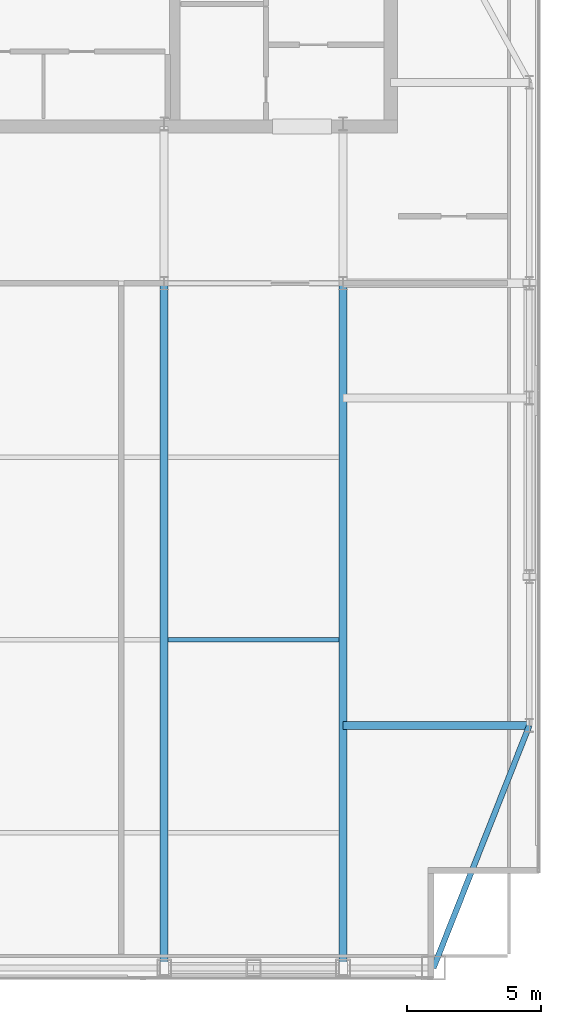
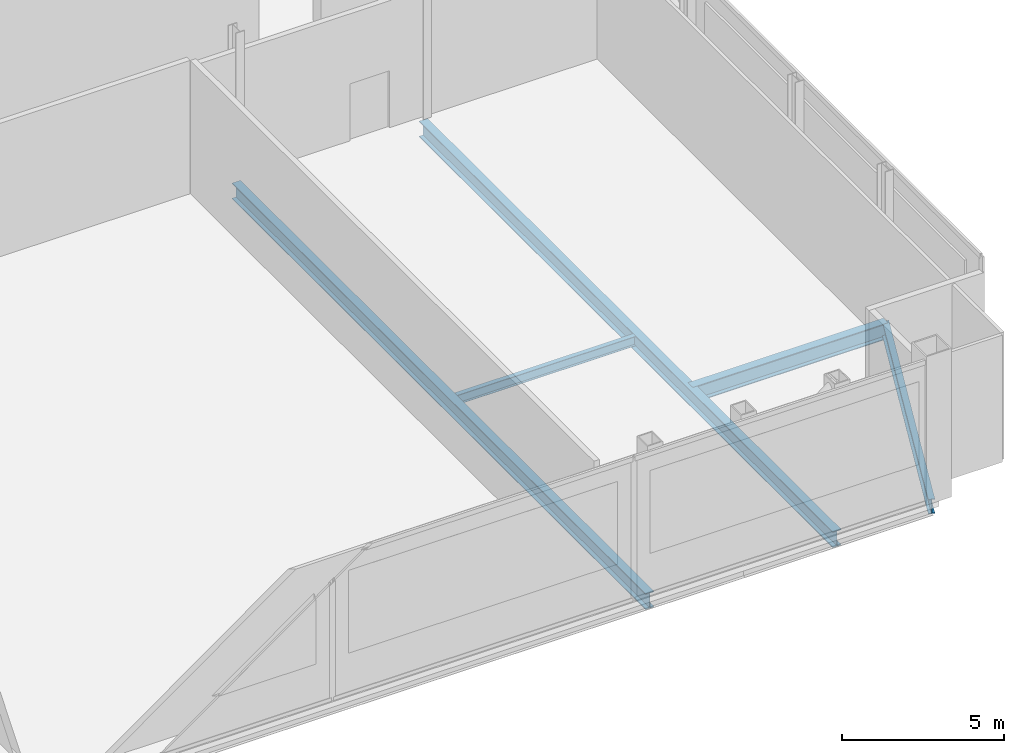
# One storey, part 11 of 22: 5 beams.
"""IFC4 building model written with IfcOpenShell, lengths in metres."""

from ifc_helpers import new_model, si_unit, direction, frame, origin, origin_2d, place, context, subcontext, project, spatial, i_section, extrude, material, material_profile, profile_set, type_object, element, save


model = new_model("IFC4")

# Units and contexts
model_context = context("Model", 3, precision=1e-05, world=origin(), true_north=direction((0.0, 1.0)))
body_context = subcontext(model_context, "Body", "Model", "MODEL_VIEW")
ifc_project = project(units=[si_unit("LENGTHUNIT", "METRE"), si_unit("AREAUNIT", "SQUARE_METRE"), si_unit("VOLUMEUNIT", "CUBIC_METRE"), si_unit("PLANEANGLEUNIT", "RADIAN"), si_unit("MASSUNIT", "GRAM", prefix="KILO")], contexts=[model_context])

# Site, building, storey
site_placement = place(None, origin())
site = spatial("IfcSite", under=ifc_project, at=site_placement, CompositionType="ELEMENT")
building_placement = place(site_placement, origin())
building = spatial("IfcBuilding", under=site, at=building_placement, Name="Khoronbel Lancet Exchange", CompositionType="ELEMENT")
storey_placement = place(building_placement, frame((0.0, 0.0, 361.800048828125)))
storey = spatial("IfcBuildingStorey", under=building, at=storey_placement, Name="L93", CompositionType="ELEMENT", Elevation=361.800048828125)

# Beams
ifc_material = material(Name="Steel S355", Category="steel")
ifc_material_profile_1 = material_profile(ifc_material, i_section(OverallWidth=0.300048828125, OverallDepth=0.60009765625, WebThickness=0.015380859375, FlangeThickness=0.030029296875, at=origin_2d()), Name="HEB 600")
ifc_profile_set_1 = profile_set([ifc_material_profile_1], Name="Steel S355")
beam_type_1 = type_object("IfcBeamType", Name="BM-BG5", PredefinedType="BEAM", material=ifc_profile_set_1)
for number, where, z_axis, x_axis, name in (
    (1, (48.0, 10.14990234375, -0.5), (0.0, 1.0, 0.0), (-1.0, 0.0, 0.0), "Level L93 south primary girder GS5"),
    (2, (54.675048828125, 10.14990234375, -0.5), (0.0, 1.0, 0.0), (-1.0, 0.0, 0.0), "Level L93 south primary girder GS6"),
):
    element("IfcBeam", number, at=place(storey_placement, frame(where, z_axis=z_axis, x_axis=x_axis)), inside=storey, type_object=beam_type_1, Name=name, PredefinedType="BEAM", context=body_context, shape_type="SweptSolid", body=[
        extrude(i_section(OverallWidth=0.300048828125, OverallDepth=0.60009765625, WebThickness=0.015380859375, FlangeThickness=0.030029296875, at=origin_2d()), origin(), (0.0, 0.0, 1.0), 25.550048828125),
    ])
beam_1_placement = place(storey_placement, frame((54.675048828125, 19.199951171875, -0.5), z_axis=(1.0, 0.0, 0.0), x_axis=(0.0, 1.0, 0.0)))
element("IfcBeam", 3, at=beam_1_placement, inside=storey, type_object=beam_type_1, Name="Level L93 east lens tie girder LG1E", PredefinedType="BEAM", context=body_context, shape_type="SweptSolid", body=[
    extrude(i_section(OverallWidth=0.300048828125, OverallDepth=0.60009765625, WebThickness=0.015380859375, FlangeThickness=0.030029296875, at=origin_2d()), origin(), (0.0, 0.0, 1.0), 6.954833984375),
])
ifc_material_profile_2 = material_profile(ifc_material, i_section(OverallWidth=0.169921875, OverallDepth=0.360107421875, WebThickness=0.008056640625, FlangeThickness=0.0126953125, at=origin_2d()), Name="IPE 360")
ifc_profile_set_2 = profile_set([ifc_material_profile_2], Name="Steel S355")
beam_type_2 = type_object("IfcBeamType", Name="BM-BJ6", PredefinedType="JOIST", material=ifc_profile_set_2)
beam_2_placement = place(storey_placement, frame((48.14990234375, 22.39990234375, -0.380126953125), z_axis=(1.0, 0.0, 0.0), x_axis=(0.0, 1.0, 0.0)))
element("IfcBeam", 4, at=beam_2_placement, inside=storey, type_object=beam_type_2, Name="Level L93 secondary composite joist J06", PredefinedType="JOIST", context=body_context, shape_type="SweptSolid", body=[
    extrude(i_section(OverallWidth=0.169921875, OverallDepth=0.360107421875, WebThickness=0.008056640625, FlangeThickness=0.0126953125, at=origin_2d()), origin(), (0.0, 0.0, 1.0), 6.375),
])
ifc_material_profile_3 = material_profile(ifc_material, i_section(OverallWidth=0.2099609375, OverallDepth=0.550048828125, WebThickness=0.010986328125, FlangeThickness=0.01708984375, at=origin_2d()), Name="IPE 550")
ifc_profile_set_3 = profile_set([ifc_material_profile_3], Name="Steel S355")
beam_type_3 = type_object("IfcBeamType", Name="BM-BSP3", PredefinedType="SPANDREL", material=ifc_profile_set_3)
beam_3_placement = place(storey_placement, frame((58.050048828125, 10.14990234375, -0.47509765625), z_axis=(0.367828403855, 0.929893684954, 0.0), x_axis=(-0.929893684954, 0.367828403855, 0.0)))
element("IfcBeam", 5, at=beam_3_placement, inside=storey, type_object=beam_type_3, Name="Level L93 perimeter spandrel beam SP08", PredefinedType="SPANDREL", context=body_context, shape_type="SweptSolid", body=[
    extrude(i_section(OverallWidth=0.2099609375, OverallDepth=0.550048828125, WebThickness=0.010986328125, FlangeThickness=0.01708984375, at=origin_2d()), origin(), (0.0, 0.0, 1.0), 9.732421875),
])

save(model, "model.ifc")
